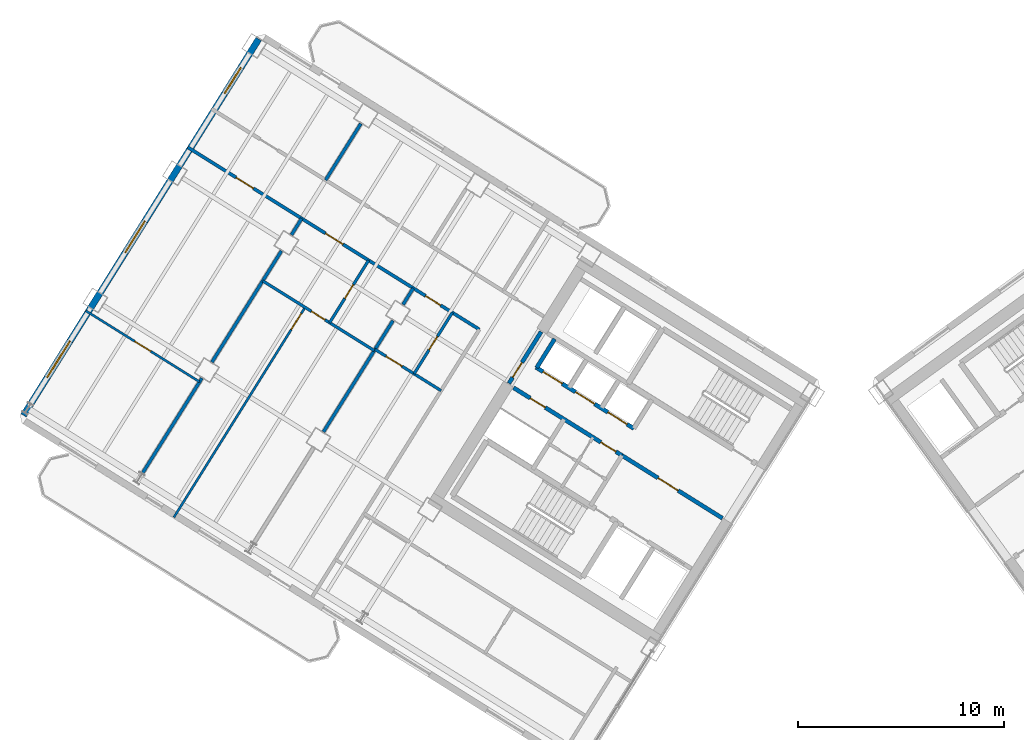
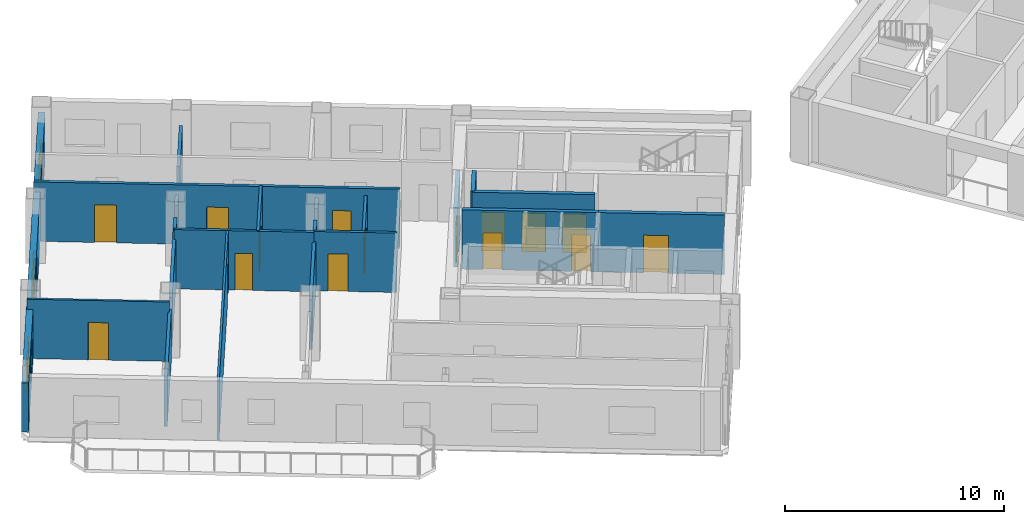
# One storey, part 11 of 18: 19 walls, 16 doors, 3 windows, 19 openings.
"""IFC4 building model written with IfcOpenShell, lengths in metres."""

from ifc_helpers import new_model, si_unit, direction, frame, frame_2d, origin, place, context, subcontext, project, spatial, rectangle, extrude, source, transform, mapped, material, layer, layer_set, type_object, element, fill, save


model = new_model("IFC4")

# Units and contexts
model_context = context("Model", 3, precision=1e-05, world=origin(), true_north=direction((0.0, 1.0)))
body_context = subcontext(model_context, "Body", "Model", "MODEL_VIEW")
ifc_project = project(units=[si_unit("LENGTHUNIT", "METRE"), si_unit("AREAUNIT", "SQUARE_METRE"), si_unit("VOLUMEUNIT", "CUBIC_METRE"), si_unit("PLANEANGLEUNIT", "RADIAN"), si_unit("MASSUNIT", "GRAM", prefix="KILO")], contexts=[model_context])

# Site, building, storey
site_placement = place(None, origin())
site = spatial("IfcSite", under=ifc_project, at=site_placement, CompositionType="ELEMENT")
building_placement = place(site_placement, origin())
building = spatial("IfcBuilding", under=site, at=building_placement, Name="Tlacorven Tower", CompositionType="ELEMENT")
storey_placement = place(building_placement, frame((0.0, 0.0, 132.60009765625)))
storey = spatial("IfcBuildingStorey", under=building, at=storey_placement, Name="L33", CompositionType="ELEMENT", Elevation=132.60009765625)

# Wall, openings, doors
ifc_material_1 = material(Name="Gypsum plasterboard acoustic partition", Category="gypsum")
ifc_layer_1 = layer(ifc_material_1, 0.159912109375)
ifc_layer_set_1 = layer_set([ifc_layer_1], Name="Gypsum plasterboard acoustic partition")
wall_type_1 = type_object("IfcWallType", Name="WL-DEM-160", PredefinedType="PARTITIONING", material=ifc_layer_set_1)
wall_1_placement = place(storey_placement, frame((24.587890625, 27.630859375, 0.0), z_axis=(0.0, 0.0, 1.0), x_axis=(-0.848041752158, 0.529929416617, 0.0)))
wall_1 = element("IfcWall", 1, at=wall_1_placement, inside=storey, type_object=wall_type_1, Name="L33 Wing W Corridor North Wall", PredefinedType="PARTITIONING", context=body_context, shape_type="SweptSolid", body=[
    extrude(rectangle(XDim=16.72998046875, YDim=0.159912109375, at=frame_2d((8.364990234375, 0.0))), origin(), (0.0, 0.0, 1.0), 3.309814453125),
])
opening_1_placement = place(wall_1_placement, frame((2.219970703125, 0.0, 0.0)))
opening_1 = element("IfcOpeningElement", 2, at=opening_1_placement, cuts=wall_1, Name="Opening D19", PredefinedType="OPENING", context=body_context, shape_type="SweptSolid", body=[
    extrude(rectangle(XDim=0.860107421875, YDim=2.050048828125, at=frame_2d((0.43017578125, 1.02490234375))), frame((0.0, 0.08984375, 0.0), z_axis=(0.0, -1.0, 0.0), x_axis=(1.0, 0.0, 0.0)), (0.0, 0.0, 1.0), 0.179931640625),
])
opening_2_placement = place(wall_1_placement, frame((7.820068359375, 0.0, 0.0)))
opening_2 = element("IfcOpeningElement", 3, at=opening_2_placement, cuts=wall_1, Name="Opening D11", PredefinedType="OPENING", context=body_context, shape_type="SweptSolid", body=[
    extrude(rectangle(XDim=1.0, YDim=2.10009765625, at=frame_2d((0.5, 1.050048828125))), frame((0.0, 0.08984375, 0.0), z_axis=(0.0, -1.0, 0.0), x_axis=(1.0, 0.0, 0.0)), (0.0, 0.0, 1.0), 0.179931640625),
])
opening_3_placement = place(wall_1_placement, frame((12.949951171875, 0.0, 0.0)))
opening_3 = element("IfcOpeningElement", 4, at=opening_3_placement, cuts=wall_1, Name="Opening D11", PredefinedType="OPENING", context=body_context, shape_type="SweptSolid", body=[
    extrude(rectangle(XDim=1.0, YDim=2.10009765625, at=frame_2d((0.5, 1.050048828125))), frame((0.0, 0.08984375, 0.0), z_axis=(0.0, -1.0, 0.0), x_axis=(1.0, 0.0, 0.0)), (0.0, 0.0, 1.0), 0.179931640625),
])
ifc_material_2 = material(Name="Fire-rated steel door assembly", Category="steel")
door_type_1 = type_object("IfcDoorType", Name="DR-RSR-FD60-0860", OperationType="NOTDEFINED", PredefinedType="DOOR", material=ifc_material_2)
shared_shape_1 = source(origin(), body_context, "Body", "SweptSolid", [
    extrude(rectangle(XDim=0.860107421875, YDim=2.050048828125, at=frame_2d((0.43017578125, 1.02490234375))), frame((0.0, 0.02490234375, 0.0), z_axis=(0.0, -1.0, 0.0), x_axis=(1.0, 0.0, 0.0)), (0.0, 0.0, 1.0), 0.050048828125),
])
door_1_placement = place(opening_1_placement, origin())
door_1 = element("IfcDoor", 5, at=door_1_placement, inside=storey, type_object=door_type_1, Name="L33 door 024", OperationType="SINGLE_SWING_RIGHT", OverallHeight=2.050048828125, OverallWidth=0.860107421875, PredefinedType="DOOR", context=body_context, shape_type="MappedRepresentation", body=[
    mapped(shared_shape_1, transform((0.0, 0.0, 0.0), scale=1.0)),
])
fill(opening_1, door_1)
door_type_2 = type_object("IfcDoorType", Name="DR-FLT-FD60-1000", OperationType="NOTDEFINED", PredefinedType="DOOR", material=ifc_material_2)
shared_shape_2 = source(origin(), body_context, "Body", "SweptSolid", [
    extrude(rectangle(XDim=1.0, YDim=2.10009765625, at=frame_2d((0.5, 1.050048828125))), frame((0.0, 0.02490234375, 0.0), z_axis=(0.0, -1.0, 0.0), x_axis=(1.0, 0.0, 0.0)), (0.0, 0.0, 1.0), 0.050048828125),
])
door_2_placement = place(opening_2_placement, origin())
door_2 = element("IfcDoor", 6, at=door_2_placement, inside=storey, type_object=door_type_2, Name="L33 door 028", OperationType="SINGLE_SWING_RIGHT", OverallHeight=2.10009765625, OverallWidth=1.0, PredefinedType="DOOR", context=body_context, shape_type="MappedRepresentation", body=[
    mapped(shared_shape_2, transform((0.0, 0.0, 0.0), scale=1.0)),
])
fill(opening_2, door_2)
door_3_placement = place(opening_3_placement, origin())
door_3 = element("IfcDoor", 7, at=door_3_placement, inside=storey, type_object=door_type_2, Name="L33 door 031", OperationType="SINGLE_SWING_LEFT", OverallHeight=2.10009765625, OverallWidth=1.0, PredefinedType="DOOR", context=body_context, shape_type="MappedRepresentation", body=[
    mapped(shared_shape_2, transform((0.0, 0.0, 0.0), scale=1.0)),
])
fill(opening_3, door_3)

# Walls
wall_2_placement = place(storey_placement, frame((21.3740234375, 29.639404296875, 0.0), z_axis=(0.0, 0.0, 1.0), x_axis=(-0.529952145338, -0.848027548876, 0.0)))
element("IfcWall", 8, at=wall_2_placement, inside=storey, type_object=wall_type_1, Name="L33 WN Demising Wall 1", PredefinedType="PARTITIONING", context=body_context, shape_type="SweptSolid", body=[
    extrude(rectangle(XDim=0.93798828125, YDim=0.159912109375, at=frame_2d((0.468994140625, 0.0))), origin(), (0.0, 0.0, 1.0), 2.744873046875),
])
wall_3_placement = place(storey_placement, frame((20.38720703125, 28.060302734375, 0.0), z_axis=(0.0, 0.0, 1.0), x_axis=(-0.529902564924, -0.848058530814, 0.0)))
element("IfcWall", 9, at=wall_3_placement, inside=storey, type_object=wall_type_1, Name="L33 WN Demising Wall 1", PredefinedType="PARTITIONING", context=body_context, shape_type="SweptSolid", body=[
    extrude(rectangle(XDim=6.3759765625, YDim=0.159912109375, at=frame_2d((3.18798828125, 0.0))), origin(), (0.0, 0.0, 1.0), 2.744873046875),
])
wall_4_placement = place(storey_placement, frame((15.9462890625, 33.03076171875, 0.0), z_axis=(0.0, 0.0, 1.0), x_axis=(-0.529952145338, -0.848027548876, 0.0)))
element("IfcWall", 10, at=wall_4_placement, inside=storey, type_object=wall_type_1, Name="L33 WN Demising Wall 2", PredefinedType="PARTITIONING", context=body_context, shape_type="SweptSolid", body=[
    extrude(rectangle(XDim=0.93798828125, YDim=0.159912109375, at=frame_2d((0.468994140625, 0.0))), origin(), (0.0, 0.0, 1.0), 2.744873046875),
])
wall_5_placement = place(storey_placement, frame((14.959716796875, 31.45166015625, 0.0), z_axis=(0.0, 0.0, 1.0), x_axis=(-0.529947310719, -0.848030570122, 0.0)))
element("IfcWall", 11, at=wall_5_placement, inside=storey, type_object=wall_type_1, Name="L33 WN Demising Wall 2", PredefinedType="PARTITIONING", context=body_context, shape_type="SweptSolid", body=[
    extrude(rectangle(XDim=6.3759765625, YDim=0.159912109375, at=frame_2d((3.18798828125, 0.0))), origin(), (0.0, 0.0, 1.0), 2.744873046875),
])
wall_6_placement = place(storey_placement, frame((11.09130859375, 25.260986328125, 0.0), z_axis=(0.0, 0.0, 1.0), x_axis=(-0.52994257524, -0.848033529377, 0.0)))
element("IfcWall", 12, at=wall_6_placement, inside=storey, type_object=wall_type_1, Name="L33 WN Demising Wall 2", PredefinedType="PARTITIONING", context=body_context, shape_type="SweptSolid", body=[
    extrude(rectangle(XDim=5.450927734375, YDim=0.159912109375, at=frame_2d((2.7255859375, 0.0))), origin(), (0.0, 0.0, 1.0), 2.744873046875),
])
wall_7_placement = place(storey_placement, frame((18.825439453125, 37.64404296875, 0.0), z_axis=(0.0, 0.0, 1.0), x_axis=(-0.529924383291, -0.848044897393, 0.0)))
element("IfcWall", 13, at=wall_7_placement, inside=storey, type_object=wall_type_1, Name="L33 partition 61", PredefinedType="PARTITIONING", context=body_context, shape_type="SweptSolid", body=[
    extrude(rectangle(XDim=3.23779296875, YDim=0.159912109375, at=frame_2d((1.618896484375, 0.0))), origin(), (0.0, 0.0, 1.0), 2.744873046875),
])

# Wall, openings, windows
ifc_material_3 = material(Name="Precast concrete C45/55", Category="concrete")
ifc_layer_2 = layer(ifc_material_3, 0.320068359375)
ifc_layer_set_2 = layer_set([ifc_layer_2], Name="Precast concrete C45/55")
wall_type_2 = type_object("IfcWallType", Name="WL-EXT-320", PredefinedType="STANDARD", material=ifc_layer_set_2)
wall_8_placement = place(storey_placement, frame((2.41455078125, 23.452392578125, 0.0), z_axis=(0.0, 0.0, 1.0), x_axis=(0.52991049553, 0.848053575387, 0.0)))
wall_8 = element("IfcWall", 14, at=wall_8_placement, inside=storey, type_object=wall_type_2, Name="L33 Masonry-Frame Recessed Facade Wall 2", PredefinedType="STANDARD", context=body_context, shape_type="SweptSolid", body=[
    extrude(rectangle(XDim=21.58740234375, YDim=0.320068359375, at=frame_2d((10.793701171875, 0.0))), origin(), (0.0, 0.0, 1.0), 2.744873046875),
])
opening_4_placement = place(wall_8_placement, frame((2.167724609375, 0.0, 0.800048828125)))
opening_4 = element("IfcOpeningElement", 15, at=opening_4_placement, cuts=wall_8, Name="Opening WN04", PredefinedType="OPENING", context=body_context, shape_type="SweptSolid", body=[
    extrude(rectangle(XDim=2.10009765625, YDim=1.550048828125, at=frame_2d((1.050048828125, 0.77490234375))), frame((0.0, 0.169921875, 0.0), z_axis=(0.0, -1.0, 0.0), x_axis=(1.0, 0.0, 0.0)), (0.0, 0.0, 1.0), 0.340087890625),
])
opening_5_placement = place(wall_8_placement, frame((9.34375, 0.0, 0.85009765625)))
opening_5 = element("IfcOpeningElement", 16, at=opening_5_placement, cuts=wall_8, Name="Opening WN01", PredefinedType="OPENING", context=body_context, shape_type="SweptSolid", body=[
    extrude(rectangle(XDim=1.800048828125, YDim=1.5, at=frame_2d((0.89990234375, 0.75))), frame((0.0, 0.169921875, 0.0), z_axis=(0.0, -1.0, 0.0), x_axis=(1.0, 0.0, 0.0)), (0.0, 0.0, 1.0), 0.340087890625),
])
opening_6_placement = place(wall_8_placement, frame((18.458740234375, 0.0, 0.85009765625)))
opening_6 = element("IfcOpeningElement", 17, at=opening_6_placement, cuts=wall_8, Name="Opening WN02", PredefinedType="OPENING", context=body_context, shape_type="SweptSolid", body=[
    extrude(rectangle(XDim=1.5, YDim=1.5, at=frame_2d((0.75, 0.75))), frame((0.0, 0.169921875, 0.0), z_axis=(0.0, -1.0, 0.0), x_axis=(1.0, 0.0, 0.0)), (0.0, 0.0, 1.0), 0.340087890625),
])
ifc_material_4 = material(Name="Dark solar low-E double glazing in anodised aluminium frame", Category="aluminium")
window_type_1 = type_object("IfcWindowType", Name="WN-APT-2100X1750", PartitioningType="SINGLE_PANEL", PredefinedType="WINDOW", material=ifc_material_4)
shared_shape_3 = source(origin(), body_context, "Body", "SweptSolid", [
    extrude(rectangle(XDim=2.10009765625, YDim=1.550048828125, at=frame_2d((1.050048828125, 0.77490234375))), frame((0.0, 0.030029296875, 0.0), z_axis=(0.0, -1.0, 0.0), x_axis=(1.0, 0.0, 0.0)), (0.0, 0.0, 1.0), 0.06005859375),
])
window_1_placement = place(opening_4_placement, origin())
window_1 = element("IfcWindow", 18, at=window_1_placement, inside=storey, type_object=window_type_1, Name="L33 Recessed Masonry-Frame Window L33-02.1", OverallHeight=1.550048828125, OverallWidth=2.10009765625, PartitioningType="SINGLE_PANEL", PredefinedType="WINDOW", context=body_context, shape_type="MappedRepresentation", body=[
    mapped(shared_shape_3, transform((0.0, 0.0, 0.0), scale=1.0)),
])
fill(opening_4, window_1)
window_type_2 = type_object("IfcWindowType", Name="WN-APT-1800X1650", PartitioningType="SINGLE_PANEL", PredefinedType="WINDOW", material=ifc_material_4)
shared_shape_4 = source(origin(), body_context, "Body", "SweptSolid", [
    extrude(rectangle(XDim=1.800048828125, YDim=1.5, at=frame_2d((0.89990234375, 0.75))), frame((0.0, 0.030029296875, 0.0), z_axis=(0.0, -1.0, 0.0), x_axis=(1.0, 0.0, 0.0)), (0.0, 0.0, 1.0), 0.06005859375),
])
window_2_placement = place(opening_5_placement, origin())
window_2 = element("IfcWindow", 19, at=window_2_placement, inside=storey, type_object=window_type_2, Name="L33 Recessed Masonry-Frame Window L33-02.2", OverallHeight=1.5, OverallWidth=1.800048828125, PartitioningType="SINGLE_PANEL", PredefinedType="WINDOW", context=body_context, shape_type="MappedRepresentation", body=[
    mapped(shared_shape_4, transform((0.0, 0.0, 0.0), scale=1.0)),
])
fill(opening_5, window_2)
window_type_3 = type_object("IfcWindowType", Name="WN-APT-1500X1650", PartitioningType="SINGLE_PANEL", PredefinedType="WINDOW", material=ifc_material_4)
shared_shape_5 = source(origin(), body_context, "Body", "SweptSolid", [
    extrude(rectangle(XDim=1.5, YDim=1.5, at=frame_2d((0.75, 0.75))), frame((0.0, 0.030029296875, 0.0), z_axis=(0.0, -1.0, 0.0), x_axis=(1.0, 0.0, 0.0)), (0.0, 0.0, 1.0), 0.06005859375),
])
window_3_placement = place(opening_6_placement, origin())
window_3 = element("IfcWindow", 20, at=window_3_placement, inside=storey, type_object=window_type_3, Name="L33 Recessed Masonry-Frame Window L33-02.3", OverallHeight=1.5, OverallWidth=1.5, PartitioningType="SINGLE_PANEL", PredefinedType="WINDOW", context=body_context, shape_type="MappedRepresentation", body=[
    mapped(shared_shape_5, transform((0.0, 0.0, 0.0), scale=1.0)),
])
fill(opening_6, window_3)

# Wall, opening, door
ifc_material_5 = material(Name="Gypsum plasterboard partition", Category="gypsum")
ifc_layer_3 = layer(ifc_material_5, 0.110107421875)
ifc_layer_set_3 = layer_set([ifc_layer_3], Name="Gypsum plasterboard partition")
wall_type_3 = type_object("IfcWallType", Name="WL-INT-110", PredefinedType="PARTITIONING", material=ifc_layer_set_3)
wall_9_placement = place(storey_placement, frame((16.11181640625, 28.7060546875, 0.0), z_axis=(0.0, 0.0, 1.0), x_axis=(-0.529929676091, -0.848041590017, 0.0)))
wall_9 = element("IfcWall", 21, at=wall_9_placement, inside=storey, type_object=wall_type_3, Name="L33 partition 58", PredefinedType="PARTITIONING", context=body_context, shape_type="SweptSolid", body=[
    extrude(rectangle(XDim=12.0400390625, YDim=0.110107421875, at=frame_2d((6.02001953125, 0.0))), origin(), (0.0, 0.0, 1.0), 3.309814453125),
])
opening_7_placement = place(wall_9_placement, frame((0.35009765625, 0.0, 0.0)))
opening_7 = element("IfcOpeningElement", 22, at=opening_7_placement, cuts=wall_9, Name="Opening D12", PredefinedType="OPENING", context=body_context, shape_type="SweptSolid", body=[
    extrude(rectangle(XDim=0.919921875, YDim=2.080078125, at=frame_2d((0.4599609375, 1.0400390625))), frame((0.0, 0.06494140625, 0.0), z_axis=(0.0, -1.0, 0.0), x_axis=(1.0, 0.0, 0.0)), (0.0, 0.0, 1.0), 0.130126953125),
])
ifc_material_6 = material(Name="Powder-coated aluminium and timber door", Category="wood")
door_type_3 = type_object("IfcDoorType", Name="DR-INT-ROOM-0920", OperationType="NOTDEFINED", PredefinedType="DOOR", material=ifc_material_6)
shared_shape_6 = source(origin(), body_context, "Body", "SweptSolid", [
    extrude(rectangle(XDim=0.919921875, YDim=2.080078125, at=frame_2d((0.4599609375, 1.0400390625))), frame((0.0, 0.02490234375, 0.0), z_axis=(0.0, -1.0, 0.0), x_axis=(1.0, 0.0, 0.0)), (0.0, 0.0, 1.0), 0.050048828125),
])
door_4_placement = place(opening_7_placement, origin())
door_4 = element("IfcDoor", 23, at=door_4_placement, inside=storey, type_object=door_type_3, Name="L33 door 027", OperationType="SINGLE_SWING_LEFT", OverallHeight=2.080078125, OverallWidth=0.919921875, PredefinedType="DOOR", context=body_context, shape_type="MappedRepresentation", body=[
    mapped(shared_shape_6, transform((0.0, 0.0, 0.0), scale=1.0)),
])
fill(opening_7, door_4)

wall_10_placement = place(storey_placement, frame((10.97998046875, 25.0830078125, 0.0), z_axis=(0.0, 0.0, 1.0), x_axis=(-0.848048787466, 0.529918157905, 0.0)))
wall_10 = element("IfcWall", 24, at=wall_10_placement, inside=storey, type_object=wall_type_3, Name="L33 partition 59", PredefinedType="PARTITIONING", context=body_context, shape_type="SweptSolid", body=[
    extrude(rectangle(XDim=6.52001953125, YDim=0.110107421875, at=frame_2d((3.260009765625, 0.0))), origin(), (0.0, 0.0, 1.0), 3.309814453125),
])
opening_8_placement = place(wall_10_placement, frame((2.800048828125, 0.0, 0.0)))
opening_8 = element("IfcOpeningElement", 25, at=opening_8_placement, cuts=wall_10, Name="Opening D12", PredefinedType="OPENING", context=body_context, shape_type="SweptSolid", body=[
    extrude(rectangle(XDim=0.919921875, YDim=2.080078125, at=frame_2d((0.4599609375, 1.0400390625))), frame((0.0, 0.06494140625, 0.0), z_axis=(0.0, -1.0, 0.0), x_axis=(1.0, 0.0, 0.0)), (0.0, 0.0, 1.0), 0.130126953125),
])
door_5_placement = place(opening_8_placement, origin())
door_5 = element("IfcDoor", 26, at=door_5_placement, inside=storey, type_object=door_type_3, Name="L33 door 032", OperationType="SINGLE_SWING_RIGHT", OverallHeight=2.080078125, OverallWidth=0.919921875, PredefinedType="DOOR", context=body_context, shape_type="MappedRepresentation", body=[
    mapped(shared_shape_6, transform((0.0, 0.0, 0.0), scale=1.0)),
])
fill(opening_8, door_5)

ifc_material_7 = material(Name="Moisture-resistant gypsum plumbing wall", Category="gypsum")
ifc_layer_4 = layer(ifc_material_7, 0.139892578125)
ifc_layer_set_4 = layer_set([ifc_layer_4], Name="Moisture-resistant gypsum plumbing wall")
wall_type_4 = type_object("IfcWallType", Name="WL-PLM-140", PredefinedType="PLUMBINGWALL", material=ifc_layer_set_4)
wall_11_placement = place(storey_placement, frame((22.72802734375, 24.654296875, 0.0), z_axis=(0.0, 0.0, 1.0), x_axis=(-0.848059820872, 0.529900500304, 0.0)))
wall_11 = element("IfcWall", 27, at=wall_11_placement, inside=storey, type_object=wall_type_4, Name="L33 partition 53", PredefinedType="PLUMBINGWALL", context=body_context, shape_type="SweptSolid", body=[
    extrude(rectangle(XDim=3.7900390625, YDim=0.139892578125, at=frame_2d((1.89501953125, 0.0))), origin(), (0.0, 0.0, 1.0), 3.309814453125),
])
opening_9_placement = place(wall_11_placement, frame((2.22998046875, 0.0, 0.0)))
opening_9 = element("IfcOpeningElement", 28, at=opening_9_placement, cuts=wall_11, Name="Opening D12", PredefinedType="OPENING", context=body_context, shape_type="SweptSolid", body=[
    extrude(rectangle(XDim=0.919921875, YDim=2.080078125, at=frame_2d((0.4599609375, 1.0400390625))), frame((0.0, 0.080078125, 0.0), z_axis=(0.0, -1.0, 0.0), x_axis=(1.0, 0.0, 0.0)), (0.0, 0.0, 1.0), 0.159912109375),
])
door_6_placement = place(opening_9_placement, origin())
door_6 = element("IfcDoor", 29, at=door_6_placement, inside=storey, type_object=door_type_3, Name="L33 door 025", OperationType="SINGLE_SWING_LEFT", OverallHeight=2.080078125, OverallWidth=0.919921875, PredefinedType="DOOR", context=body_context, shape_type="MappedRepresentation", body=[
    mapped(shared_shape_6, transform((0.0, 0.0, 0.0), scale=1.0)),
])
fill(opening_9, door_6)

wall_12_placement = place(storey_placement, frame((23.2734375, 28.452392578125, 0.0), z_axis=(0.0, 0.0, 1.0), x_axis=(-0.529867639402, -0.848080352747, 0.0)))
wall_12 = element("IfcWall", 30, at=wall_12_placement, inside=storey, type_object=wall_type_4, Name="L33 partition 54", PredefinedType="PLUMBINGWALL", context=body_context, shape_type="SweptSolid", body=[
    extrude(rectangle(XDim=3.510009765625, YDim=0.139892578125, at=frame_2d((1.7548828125, 0.0))), origin(), (0.0, 0.0, 1.0), 2.934814453125),
])
opening_10_placement = place(wall_12_placement, frame((1.364990234375, 0.0, 0.0)))
opening_10 = element("IfcOpeningElement", 31, at=opening_10_placement, cuts=wall_12, Name="Opening D22", PredefinedType="OPENING", context=body_context, shape_type="SweptSolid", body=[
    extrude(rectangle(XDim=0.780029296875, YDim=2.050048828125, at=frame_2d((0.39013671875, 1.02490234375))), frame((0.0, 0.080078125, 0.0), z_axis=(0.0, -1.0, 0.0), x_axis=(1.0, 0.0, 0.0)), (0.0, 0.0, 1.0), 0.159912109375),
])
door_type_4 = type_object("IfcDoorType", Name="DR-INT-WET-0780", OperationType="NOTDEFINED", PredefinedType="DOOR", material=ifc_material_6)
shared_shape_7 = source(origin(), body_context, "Body", "SweptSolid", [
    extrude(rectangle(XDim=0.780029296875, YDim=2.050048828125, at=frame_2d((0.39013671875, 1.02490234375))), frame((0.0, 0.02490234375, 0.0), z_axis=(0.0, -1.0, 0.0), x_axis=(1.0, 0.0, 0.0)), (0.0, 0.0, 1.0), 0.050048828125),
])
door_7_placement = place(opening_10_placement, origin())
door_7 = element("IfcDoor", 32, at=door_7_placement, inside=storey, type_object=door_type_4, Name="L33 door 026", OperationType="SINGLE_SWING_RIGHT", OverallHeight=2.050048828125, OverallWidth=0.780029296875, PredefinedType="DOOR", context=body_context, shape_type="MappedRepresentation", body=[
    mapped(shared_shape_7, transform((0.0, 0.0, 0.0), scale=1.0)),
])
fill(opening_10, door_7)

wall_13_placement = place(storey_placement, frame((19.476806640625, 26.603271484375, 0.0), z_axis=(0.0, 0.0, 1.0), x_axis=(-0.848039019877, 0.529933789039, 0.0)))
wall_13 = element("IfcWall", 33, at=wall_13_placement, inside=storey, type_object=wall_type_4, Name="L33 partition 56", PredefinedType="PLUMBINGWALL", context=body_context, shape_type="SweptSolid", body=[
    extrude(rectangle(XDim=6.400146484375, YDim=0.139892578125, at=frame_2d((3.2001953125, 0.0))), origin(), (0.0, 0.0, 1.0), 3.309814453125),
])
opening_11_placement = place(wall_13_placement, frame((2.823974609375, 0.0, 0.0)))
opening_11 = element("IfcOpeningElement", 34, at=opening_11_placement, cuts=wall_13, Name="Opening D22", PredefinedType="OPENING", context=body_context, shape_type="SweptSolid", body=[
    extrude(rectangle(XDim=0.780029296875, YDim=2.050048828125, at=frame_2d((0.39013671875, 1.02490234375))), frame((0.0, 0.080078125, 0.0), z_axis=(0.0, -1.0, 0.0), x_axis=(1.0, 0.0, 0.0)), (0.0, 0.0, 1.0), 0.159912109375),
])
door_8_placement = place(opening_11_placement, origin())
door_8 = element("IfcDoor", 35, at=door_8_placement, inside=storey, type_object=door_type_4, Name="L33 door 029", OperationType="SINGLE_SWING_LEFT", OverallHeight=2.050048828125, OverallWidth=0.780029296875, PredefinedType="DOOR", context=body_context, shape_type="MappedRepresentation", body=[
    mapped(shared_shape_7, transform((0.0, 0.0, 0.0), scale=1.0)),
])
fill(opening_11, door_8)

wall_14_placement = place(storey_placement, frame((19.202880859375, 30.995849609375, 0.0), z_axis=(0.0, 0.0, 1.0), x_axis=(-0.529906983049, -0.848055770169, 0.0)))
wall_14 = element("IfcWall", 36, at=wall_14_placement, inside=storey, type_object=wall_type_4, Name="L33 partition 57", PredefinedType="PLUMBINGWALL", context=body_context, shape_type="SweptSolid", body=[
    extrude(rectangle(XDim=3.579833984375, YDim=0.139892578125, at=frame_2d((1.7900390625, 0.0))), origin(), (0.0, 0.0, 1.0), 3.309814453125),
])
opening_12_placement = place(wall_14_placement, frame((1.39990234375, 0.0, 0.0)))
opening_12 = element("IfcOpeningElement", 37, at=opening_12_placement, cuts=wall_14, Name="Opening D22", PredefinedType="OPENING", context=body_context, shape_type="SweptSolid", body=[
    extrude(rectangle(XDim=0.780029296875, YDim=2.050048828125, at=frame_2d((0.39013671875, 1.02490234375))), frame((0.0, 0.080078125, 0.0), z_axis=(0.0, -1.0, 0.0), x_axis=(1.0, 0.0, 0.0)), (0.0, 0.0, 1.0), 0.159912109375),
])
door_9_placement = place(opening_12_placement, origin())
door_9 = element("IfcDoor", 38, at=door_9_placement, inside=storey, type_object=door_type_4, Name="L33 door 030", OperationType="SINGLE_SWING_RIGHT", OverallHeight=2.050048828125, OverallWidth=0.780029296875, PredefinedType="DOOR", context=body_context, shape_type="MappedRepresentation", body=[
    mapped(shared_shape_7, transform((0.0, 0.0, 0.0), scale=1.0)),
])
fill(opening_12, door_9)

ifc_material_8 = material(Name="Concrete C40/50", Category="concrete")
ifc_layer_5 = layer(ifc_material_8, 0.199951171875)
ifc_layer_set_5 = layer_set([ifc_layer_5], Name="Concrete C40/50")
wall_type_5 = type_object("IfcWallType", Name="WL-SHF-200", PredefinedType="STANDARD", material=ifc_layer_set_5)
wall_15_placement = place(storey_placement, frame((36.416748046875, 18.447265625, 0.0), z_axis=(0.0, 0.0, 1.0), x_axis=(-0.848064879198, 0.529892404805, 0.0)))
wall_15 = element("IfcWall", 39, at=wall_15_placement, inside=storey, type_object=wall_type_5, Name="L33 Core W Smoke Lobby Wall", PredefinedType="STANDARD", context=body_context, shape_type="SweptSolid", body=[
    extrude(rectangle(XDim=5.76806640625, YDim=0.199951171875, at=frame_2d((2.884033203125, 0.0))), origin(), (0.0, 0.0, 1.0), 3.309814453125),
])
opening_13_placement = place(wall_15_placement, frame((2.548095703125, 0.0, 0.0)))
opening_13 = element("IfcOpeningElement", 40, at=opening_13_placement, cuts=wall_15, Name="Opening D09", PredefinedType="OPENING", context=body_context, shape_type="SweptSolid", body=[
    extrude(rectangle(XDim=1.14990234375, YDim=2.10009765625, at=frame_2d((0.574951171875, 1.050048828125))), frame((0.0, 0.10986328125, 0.0), z_axis=(0.0, -1.0, 0.0), x_axis=(1.0, 0.0, 0.0)), (0.0, 0.0, 1.0), 0.219970703125),
])
door_type_5 = type_object("IfcDoorType", Name="DR-FFL-FD60-1150", OperationType="NOTDEFINED", PredefinedType="DOOR", material=ifc_material_2)
shared_shape_8 = source(origin(), body_context, "Body", "SweptSolid", [
    extrude(rectangle(XDim=1.14990234375, YDim=2.10009765625, at=frame_2d((0.574951171875, 1.050048828125))), frame((0.0, 0.02490234375, 0.0), z_axis=(0.0, -1.0, 0.0), x_axis=(1.0, 0.0, 0.0)), (0.0, 0.0, 1.0), 0.050048828125),
])
door_10_placement = place(opening_13_placement, origin())
door_10 = element("IfcDoor", 41, at=door_10_placement, inside=storey, type_object=door_type_5, Name="L33 Firefighting Lobby W Fire Door", OperationType="SINGLE_SWING_LEFT", OverallHeight=2.10009765625, OverallWidth=1.14990234375, PredefinedType="DOOR", context=body_context, shape_type="MappedRepresentation", body=[
    mapped(shared_shape_8, transform((0.0, 0.0, 0.0), scale=1.0)),
])
fill(opening_13, door_10)

# Wall, openings, doors
wall_16_placement = place(storey_placement, frame((32.108154296875, 22.81396484375, 0.0), z_axis=(0.0, 0.0, 1.0), x_axis=(-0.848042229521, 0.529928652696, 0.0)))
wall_16 = element("IfcWall", 42, at=wall_16_placement, inside=storey, type_object=wall_type_5, Name="L33 partition 11", PredefinedType="STANDARD", context=body_context, shape_type="SweptSolid", body=[
    extrude(rectangle(XDim=5.6201171875, YDim=0.199951171875, at=frame_2d((2.81005859375, 0.0))), origin(), (0.0, 0.0, 1.0), 3.309814453125),
])
opening_14_placement = place(wall_16_placement, frame((0.389892578125, 0.0, 0.0)))
opening_14 = element("IfcOpeningElement", 43, at=opening_14_placement, cuts=wall_16, Name="Opening LD01", PredefinedType="OPENING", context=body_context, shape_type="SweptSolid", body=[
    extrude(rectangle(XDim=1.10009765625, YDim=2.14990234375, at=frame_2d((0.550048828125, 1.074951171875))), frame((0.0, 0.10986328125, 0.0), z_axis=(0.0, -1.0, 0.0), x_axis=(1.0, 0.0, 0.0)), (0.0, 0.0, 1.0), 0.219970703125),
])
opening_15_placement = place(wall_16_placement, frame((2.25, 0.0, 0.0)))
opening_15 = element("IfcOpeningElement", 44, at=opening_15_placement, cuts=wall_16, Name="Opening LD01", PredefinedType="OPENING", context=body_context, shape_type="SweptSolid", body=[
    extrude(rectangle(XDim=1.10009765625, YDim=2.14990234375, at=frame_2d((0.550048828125, 1.074951171875))), frame((0.0, 0.10986328125, 0.0), z_axis=(0.0, -1.0, 0.0), x_axis=(1.0, 0.0, 0.0)), (0.0, 0.0, 1.0), 0.219970703125),
])
opening_16_placement = place(wall_16_placement, frame((4.110107421875, 0.0, 0.0)))
opening_16 = element("IfcOpeningElement", 45, at=opening_16_placement, cuts=wall_16, Name="Opening LD01", PredefinedType="OPENING", context=body_context, shape_type="SweptSolid", body=[
    extrude(rectangle(XDim=1.10009765625, YDim=2.14990234375, at=frame_2d((0.550048828125, 1.074951171875))), frame((0.0, 0.10986328125, 0.0), z_axis=(0.0, -1.0, 0.0), x_axis=(1.0, 0.0, 0.0)), (0.0, 0.0, 1.0), 0.219970703125),
])
door_type_6 = type_object("IfcDoorType", Name="DR-LFT-SLID-1100", OperationType="DOUBLE_DOOR_SLIDING", PredefinedType="DOOR", material=ifc_material_2)
shared_shape_9 = source(origin(), body_context, "Body", "SweptSolid", [
    extrude(rectangle(XDim=1.10009765625, YDim=2.14990234375, at=frame_2d((0.550048828125, 1.074951171875))), frame((0.0, 0.02490234375, 0.0), z_axis=(0.0, -1.0, 0.0), x_axis=(1.0, 0.0, 0.0)), (0.0, 0.0, 1.0), 0.050048828125),
])
door_11_placement = place(opening_14_placement, origin())
door_11 = element("IfcDoor", 46, at=door_11_placement, inside=storey, type_object=door_type_6, Name="L33 Lift PL-M1 Sliding Landing Door", OperationType="DOUBLE_DOOR_SLIDING", OverallHeight=2.14990234375, OverallWidth=1.10009765625, PredefinedType="DOOR", context=body_context, shape_type="MappedRepresentation", body=[
    mapped(shared_shape_9, transform((0.0, 0.0, 0.0), scale=1.0)),
])
fill(opening_14, door_11)
door_12_placement = place(opening_15_placement, origin())
door_12 = element("IfcDoor", 47, at=door_12_placement, inside=storey, type_object=door_type_6, Name="L33 Lift PL-M2 Sliding Landing Door", OperationType="DOUBLE_DOOR_SLIDING", OverallHeight=2.14990234375, OverallWidth=1.10009765625, PredefinedType="DOOR", context=body_context, shape_type="MappedRepresentation", body=[
    mapped(shared_shape_9, transform((0.0, 0.0, 0.0), scale=1.0)),
])
fill(opening_15, door_12)
door_13_placement = place(opening_16_placement, origin())
door_13 = element("IfcDoor", 48, at=door_13_placement, inside=storey, type_object=door_type_6, Name="L33 Lift PL-M3 Sliding Landing Door", OperationType="DOUBLE_DOOR_SLIDING", OverallHeight=2.14990234375, OverallWidth=1.10009765625, PredefinedType="DOOR", context=body_context, shape_type="MappedRepresentation", body=[
    mapped(shared_shape_9, transform((0.0, 0.0, 0.0), scale=1.0)),
])
fill(opening_16, door_13)

# Wall
wall_17_placement = place(storey_placement, frame((28.250244140625, 27.170166015625, 0.0), z_axis=(0.0, 0.0, 1.0), x_axis=(-0.529905827651, -0.848056492117, 0.0)))
element("IfcWall", 49, at=wall_17_placement, inside=storey, type_object=wall_type_5, Name="L33 partition 13", PredefinedType="STANDARD", context=body_context, shape_type="SweptSolid", body=[
    extrude(rectangle(XDim=1.64990234375, YDim=0.199951171875, at=frame_2d((0.824951171875, 0.0))), origin(), (0.0, 0.0, 1.0), 3.309814453125),
])

# Wall, openings, doors
wall_18_placement = place(storey_placement, frame((31.525146484375, 21.503662109375, 0.0), z_axis=(0.0, 0.0, 1.0), x_axis=(-0.848040211232, 0.529931882541, 0.0)))
wall_18 = element("IfcWall", 50, at=wall_18_placement, inside=storey, type_object=wall_type_5, Name="L33 Core W North Service Wall", PredefinedType="STANDARD", context=body_context, shape_type="SweptSolid", body=[
    extrude(rectangle(XDim=6.218017578125, YDim=0.199951171875, at=frame_2d((3.10888671875, 0.0))), origin(), (0.0, 0.0, 1.0), 3.309814453125),
])
opening_17_placement = place(wall_18_placement, frame((4.39990234375, 0.0, 0.0)))
opening_17 = element("IfcOpeningElement", 51, at=opening_17_placement, cuts=wall_18, Name="Opening D19", PredefinedType="OPENING", context=body_context, shape_type="SweptSolid", body=[
    extrude(rectangle(XDim=0.860107421875, YDim=2.050048828125, at=frame_2d((0.43017578125, 1.02490234375))), frame((0.0, 0.10986328125, 0.0), z_axis=(0.0, -1.0, 0.0), x_axis=(1.0, 0.0, 0.0)), (0.0, 0.0, 1.0), 0.219970703125),
])
opening_18_placement = place(wall_18_placement, frame((0.35009765625, 0.0, 0.0)))
opening_18 = element("IfcOpeningElement", 52, at=opening_18_placement, cuts=wall_18, Name="Opening D19", PredefinedType="OPENING", context=body_context, shape_type="SweptSolid", body=[
    extrude(rectangle(XDim=0.860107421875, YDim=2.050048828125, at=frame_2d((0.43017578125, 1.02490234375))), frame((0.0, 0.10986328125, 0.0), z_axis=(0.0, -1.0, 0.0), x_axis=(1.0, 0.0, 0.0)), (0.0, 0.0, 1.0), 0.219970703125),
])
door_14_placement = place(opening_17_placement, frame((0.860107421875, 0.0, 0.0), z_axis=(0.0, 0.0, 1.0), x_axis=(-1.0, 0.0, 0.0)))
door_14 = element("IfcDoor", 53, at=door_14_placement, inside=storey, type_object=door_type_1, Name="L33 Electrical Riser Access Door W", OperationType="SINGLE_SWING_RIGHT", OverallHeight=2.050048828125, OverallWidth=0.860107421875, PredefinedType="DOOR", context=body_context, shape_type="MappedRepresentation", body=[
    mapped(shared_shape_1, transform((0.0, 0.0, 0.0), scale=1.0)),
])
fill(opening_17, door_14)
door_15_placement = place(opening_18_placement, frame((0.860107421875, 0.0, 0.0), z_axis=(0.0, 0.0, 1.0), x_axis=(-1.0, 0.0, 0.0)))
door_15 = element("IfcDoor", 54, at=door_15_placement, inside=storey, type_object=door_type_1, Name="L33 Cleaning Room Access Door W", OperationType="SINGLE_SWING_LEFT", OverallHeight=2.050048828125, OverallWidth=0.860107421875, PredefinedType="DOOR", context=body_context, shape_type="MappedRepresentation", body=[
    mapped(shared_shape_1, transform((0.0, 0.0, 0.0), scale=1.0)),
])
fill(opening_18, door_15)

# Wall, opening, door
wall_19_placement = place(storey_placement, frame((27.59619140625, 27.52001953125, 0.0), z_axis=(0.0, 0.0, 1.0), x_axis=(-0.529865479138, -0.848081702443, 0.0)))
wall_19 = element("IfcWall", 55, at=wall_19_placement, inside=storey, type_object=wall_type_5, Name="L33 partition 44", PredefinedType="STANDARD", context=body_context, shape_type="SweptSolid", body=[
    extrude(rectangle(XDim=2.9599609375, YDim=0.199951171875, at=frame_2d((1.47998046875, 0.0))), origin(), (0.0, 0.0, 1.0), 3.309814453125),
])
opening_19_placement = place(wall_19_placement, frame((1.760009765625, 0.0, 0.0)))
opening_19 = element("IfcOpeningElement", 56, at=opening_19_placement, cuts=wall_19, Name="Opening D19", PredefinedType="OPENING", context=body_context, shape_type="SweptSolid", body=[
    extrude(rectangle(XDim=0.860107421875, YDim=2.050048828125, at=frame_2d((0.43017578125, 1.02490234375))), frame((0.0, 0.10986328125, 0.0), z_axis=(0.0, -1.0, 0.0), x_axis=(1.0, 0.0, 0.0)), (0.0, 0.0, 1.0), 0.219970703125),
])
door_16_placement = place(opening_19_placement, origin())
door_16 = element("IfcDoor", 57, at=door_16_placement, inside=storey, type_object=door_type_1, Name="L33 door 023", OperationType="SINGLE_SWING_LEFT", OverallHeight=2.050048828125, OverallWidth=0.860107421875, PredefinedType="DOOR", context=body_context, shape_type="MappedRepresentation", body=[
    mapped(shared_shape_1, transform((0.0, 0.0, 0.0), scale=1.0)),
])
fill(opening_19, door_16)

save(model, "model.ifc")
